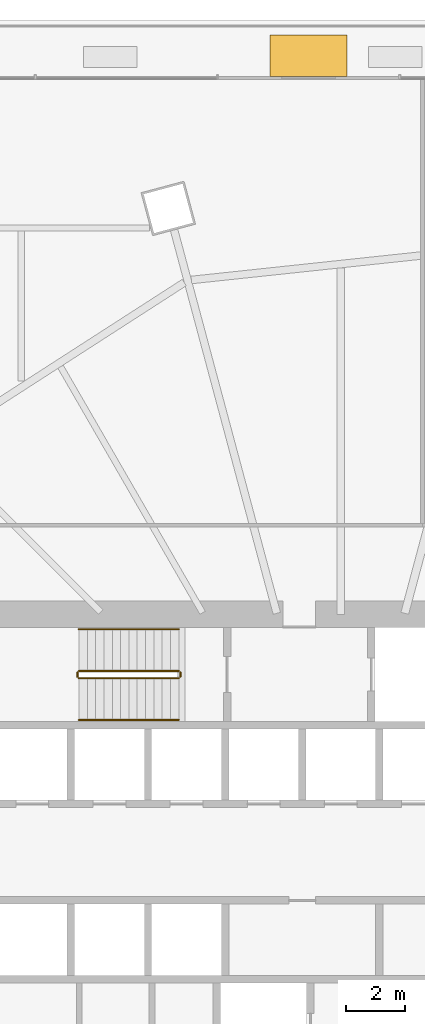
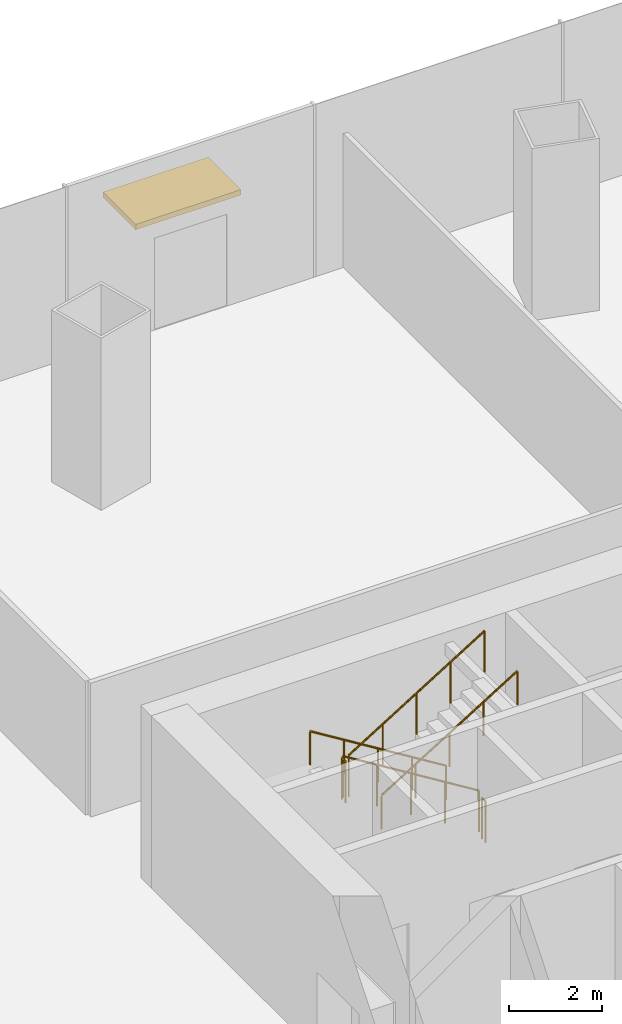
# One storey, part 47 of 49: 6 railings, 1 shading device.
"""IFC4 building model written with IfcOpenShell, lengths in metres."""

from ifc_helpers import new_model, si_unit, direction, frame, origin, origin_2d, place, context, subcontext, project, spatial, rectangle, circle, extrude, material, layer, layer_set, type_object, element, save


model = new_model("IFC4")

# Units and contexts
model_context = context("Model", 3, precision=1e-05, world=origin(), true_north=direction((0.0, 1.0)))
body_context = subcontext(model_context, "Body", "Model", "MODEL_VIEW")
ifc_project = project(units=[si_unit("LENGTHUNIT", "METRE"), si_unit("AREAUNIT", "SQUARE_METRE"), si_unit("VOLUMEUNIT", "CUBIC_METRE"), si_unit("PLANEANGLEUNIT", "RADIAN"), si_unit("MASSUNIT", "GRAM", prefix="KILO")], contexts=[model_context])

# Site, building, storey
site_placement = place(None, origin())
site = spatial("IfcSite", under=ifc_project, at=site_placement, CompositionType="ELEMENT")
building_placement = place(site_placement, origin())
building = spatial("IfcBuilding", under=site, at=building_placement, Name="Rimbun Link Towers", CompositionType="ELEMENT")
storey_placement = place(building_placement, frame((0.0, 0.0, 25.5)))
storey = spatial("IfcBuildingStorey", under=building, at=storey_placement, Name="L05", CompositionType="ELEMENT", Elevation=25.5)

# Shading device
ifc_material_1 = material(Name="Aluminium 6063-T6 louvre blades in a powder-coated aluminium frame", Category="aluminium")
ifc_layer = layer(ifc_material_1, 0.139892578125)
ifc_layer_set = layer_set([ifc_layer], Name="RAIN CANOPY louvre blades 2600X1400")
shading_device_type = type_object("IfcShadingDeviceType", Name="RAIN CANOPY louvre blades 2600X1400", PredefinedType="AWNING", material=ifc_layer_set)
shading_device_placement = place(storey_placement, frame((30.666748046875, 26.800048828125, 2.7001953125), z_axis=(0.0, 0.0, 1.0), x_axis=(1.0, 0.0, 0.0)))
element("IfcShadingDevice", 1, at=shading_device_placement, inside=storey, type_object=shading_device_type, Name="RAIN CANOPY over terrace door", PredefinedType="AWNING", context=body_context, shape_type="SweptSolid", body=[
    extrude(rectangle(XDim=2.60009765625, YDim=1.39990234375, at=origin_2d()), origin(), (0.0, 0.0, 1.0), 0.139892578125),
])

# Railings
ifc_material_2 = material(Name="Stainless steel grade 316", Category="steel")
railing_type_1 = type_object("IfcRailingType", Name="Stair guard", PredefinedType="GUARDRAIL", material=ifc_material_2)
railing_1_placement = place(storey_placement, frame((26.300048828125, 6.10009765625, 0.173095703125)))
element("IfcRailing", 2, at=railing_1_placement, inside=storey, type_object=railing_type_1, Name="L05 ST3 stair guard 1", PredefinedType="GUARDRAIL", context=body_context, shape_type="SweptSolid", body=[
    extrude(circle(Radius=0.02392578125, at=origin_2d()), frame((0.0, 0.0, 1.076171875), z_axis=(-0.850623216509, 0.0, 0.525775754039), x_axis=(0.0, -1.0, 0.0)), (0.0, 0.0, 1.0), 3.9501953125),
    extrude(circle(Radius=0.02099609375, at=origin_2d()), origin(), (0.0, 0.0, 1.0), 1.052001953125),
    extrude(circle(Radius=0.02099609375, at=origin_2d()), frame((-0.840087890625, 0.0, 0.519287109375)), (0.0, 0.0, 1.0), 1.052001953125),
    extrude(circle(Radius=0.02099609375, at=origin_2d()), frame((-1.68017578125, 0.0, 1.03857421875)), (0.0, 0.0, 1.0), 1.052001953125),
    extrude(circle(Radius=0.02099609375, at=origin_2d()), frame((-2.52001953125, 0.0, 1.5576171875)), (0.0, 0.0, 1.0), 1.052001953125),
    extrude(circle(Radius=0.02099609375, at=origin_2d()), frame((-3.360107421875, 0.0, 2.076904296875)), (0.0, 0.0, 1.0), 1.052001953125),
])
railing_2_placement = place(storey_placement, frame((22.889892578125, 6.050048828125, 2.25)))
element("IfcRailing", 3, at=railing_2_placement, inside=storey, type_object=railing_type_1, Name="L05 ST3 stair guard 2", PredefinedType="GUARDRAIL", context=body_context, shape_type="SweptSolid", body=[
    extrude(circle(Radius=0.02392578125, at=origin_2d()), frame((0.0, 0.0, 1.076171875), z_axis=(0.0, -1.0, 0.0), x_axis=(1.0, 0.0, 0.0)), (0.0, 0.0, 1.0), 0.150146484375),
    extrude(circle(Radius=0.02099609375, at=origin_2d()), origin(), (0.0, 0.0, 1.0), 1.052001953125),
    extrude(circle(Radius=0.02099609375, at=origin_2d()), frame((0.0, -0.150146484375, 0.0)), (0.0, 0.0, 1.0), 1.052001953125),
])
railing_3_placement = place(storey_placement, frame((22.93994140625, 5.85009765625, 2.423095703125)))
element("IfcRailing", 4, at=railing_3_placement, inside=storey, type_object=railing_type_1, Name="L05 ST3 stair guard 3", PredefinedType="GUARDRAIL", context=body_context, shape_type="SweptSolid", body=[
    extrude(circle(Radius=0.02392578125, at=origin_2d()), frame((0.0, 0.0, 1.076171875), z_axis=(0.850623216509, 0.0, 0.525775754039), x_axis=(0.0, 1.0, 0.0)), (0.0, 0.0, 1.0), 3.9501953125),
    extrude(circle(Radius=0.02099609375, at=origin_2d()), origin(), (0.0, 0.0, 1.0), 1.052001953125),
    extrude(circle(Radius=0.02099609375, at=origin_2d()), frame((0.840087890625, 0.0, 0.519287109375)), (0.0, 0.0, 1.0), 1.052001953125),
    extrude(circle(Radius=0.02099609375, at=origin_2d()), frame((1.68017578125, 0.0, 1.03857421875)), (0.0, 0.0, 1.0), 1.052001953125),
    extrude(circle(Radius=0.02099609375, at=origin_2d()), frame((2.52001953125, 0.0, 1.5576171875)), (0.0, 0.0, 1.0), 1.052001953125),
    extrude(circle(Radius=0.02099609375, at=origin_2d()), frame((3.360107421875, 0.0, 2.076904296875)), (0.0, 0.0, 1.0), 1.052001953125),
])
railing_4_placement = place(storey_placement, frame((26.35009765625, 6.050048828125, 0.0)))
element("IfcRailing", 5, at=railing_4_placement, inside=storey, type_object=railing_type_1, Name="L05 ST3 stair guard 4", PredefinedType="GUARDRAIL", context=body_context, shape_type="SweptSolid", body=[
    extrude(circle(Radius=0.02392578125, at=origin_2d()), frame((0.0, 0.0, 1.076171875), z_axis=(0.0, -1.0, 0.0), x_axis=(1.0, 0.0, 0.0)), (0.0, 0.0, 1.0), 0.150146484375),
    extrude(circle(Radius=0.02099609375, at=origin_2d()), origin(), (0.0, 0.0, 1.0), 1.052001953125),
    extrude(circle(Radius=0.02099609375, at=origin_2d()), frame((0.0, -0.150146484375, 0.0)), (0.0, 0.0, 1.0), 1.052001953125),
])
ifc_material_3 = material(Name="Stainless steel grade 316", Category="steel")
railing_type_2 = type_object("IfcRailingType", Name="Stair handrail", PredefinedType="HANDRAIL", material=ifc_material_3)
railing_5_placement = place(storey_placement, frame((26.300048828125, 7.5, 0.173095703125)))
element("IfcRailing", 6, at=railing_5_placement, inside=storey, type_object=railing_type_2, Name="L05 ST3 stair handrail 1", PredefinedType="HANDRAIL", context=body_context, shape_type="SweptSolid", body=[
    extrude(circle(Radius=0.02392578125, at=origin_2d()), frame((0.0, 0.0, 0.8759765625), z_axis=(-0.850623216509, 0.0, 0.525775754039), x_axis=(0.0, -1.0, 0.0)), (0.0, 0.0, 1.0), 3.9501953125),
    extrude(circle(Radius=0.02099609375, at=origin_2d()), origin(), (0.0, 0.0, 1.0), 0.851806640625),
    extrude(circle(Radius=0.02099609375, at=origin_2d()), frame((-0.840087890625, 0.0, 0.519287109375)), (0.0, 0.0, 1.0), 0.851806640625),
    extrude(circle(Radius=0.02099609375, at=origin_2d()), frame((-1.68017578125, 0.0, 1.03857421875)), (0.0, 0.0, 1.0), 0.851806640625),
    extrude(circle(Radius=0.02099609375, at=origin_2d()), frame((-2.52001953125, 0.0, 1.5576171875)), (0.0, 0.0, 1.0), 0.851806640625),
    extrude(circle(Radius=0.02099609375, at=origin_2d()), frame((-3.360107421875, 0.0, 2.076904296875)), (0.0, 0.0, 1.0), 0.851806640625),
])
railing_6_placement = place(storey_placement, frame((22.93994140625, 4.449951171875, 2.423095703125)))
element("IfcRailing", 7, at=railing_6_placement, inside=storey, type_object=railing_type_2, Name="L05 ST3 stair handrail 2", PredefinedType="HANDRAIL", context=body_context, shape_type="SweptSolid", body=[
    extrude(circle(Radius=0.02392578125, at=origin_2d()), frame((0.0, 0.0, 0.8759765625), z_axis=(0.850623216509, 0.0, 0.525775754039), x_axis=(0.0, 1.0, 0.0)), (0.0, 0.0, 1.0), 3.9501953125),
    extrude(circle(Radius=0.02099609375, at=origin_2d()), origin(), (0.0, 0.0, 1.0), 0.851806640625),
    extrude(circle(Radius=0.02099609375, at=origin_2d()), frame((0.840087890625, 0.0, 0.519287109375)), (0.0, 0.0, 1.0), 0.851806640625),
    extrude(circle(Radius=0.02099609375, at=origin_2d()), frame((1.68017578125, 0.0, 1.03857421875)), (0.0, 0.0, 1.0), 0.851806640625),
    extrude(circle(Radius=0.02099609375, at=origin_2d()), frame((2.52001953125, 0.0, 1.5576171875)), (0.0, 0.0, 1.0), 0.851806640625),
    extrude(circle(Radius=0.02099609375, at=origin_2d()), frame((3.360107421875, 0.0, 2.076904296875)), (0.0, 0.0, 1.0), 0.851806640625),
])

save(model, "model.ifc")
